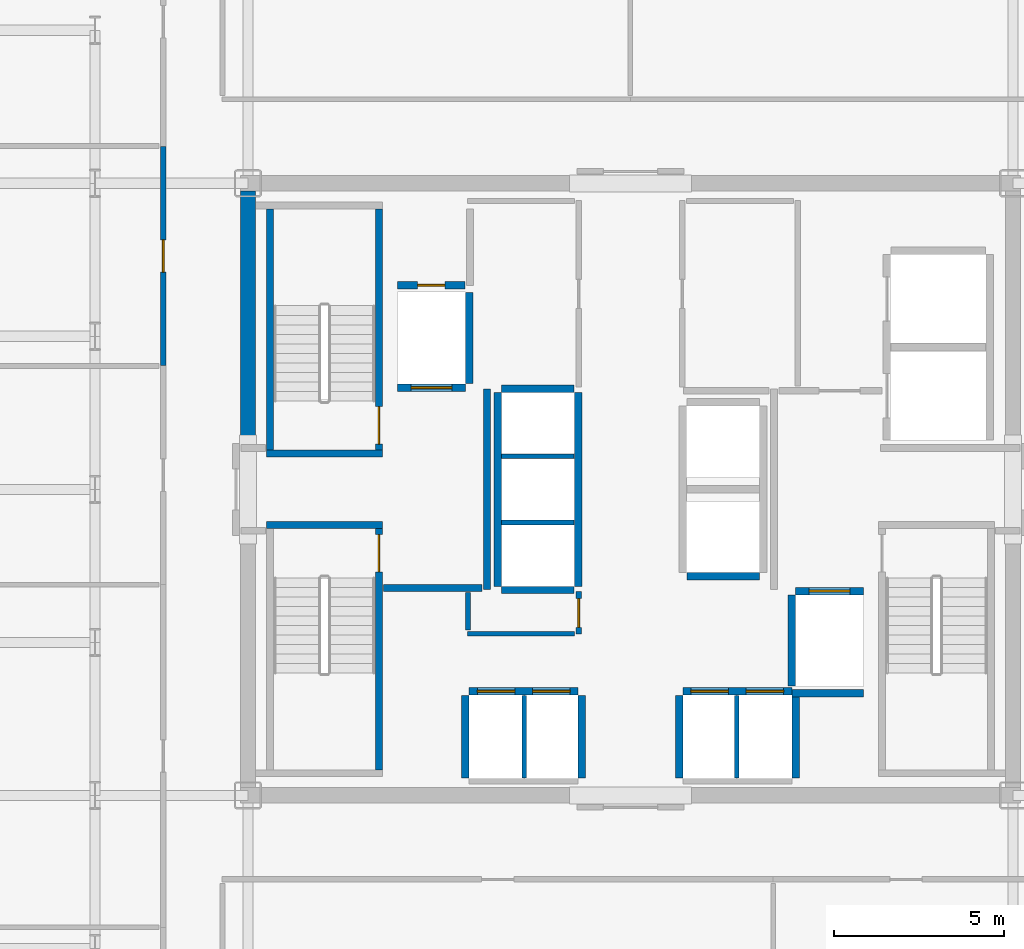
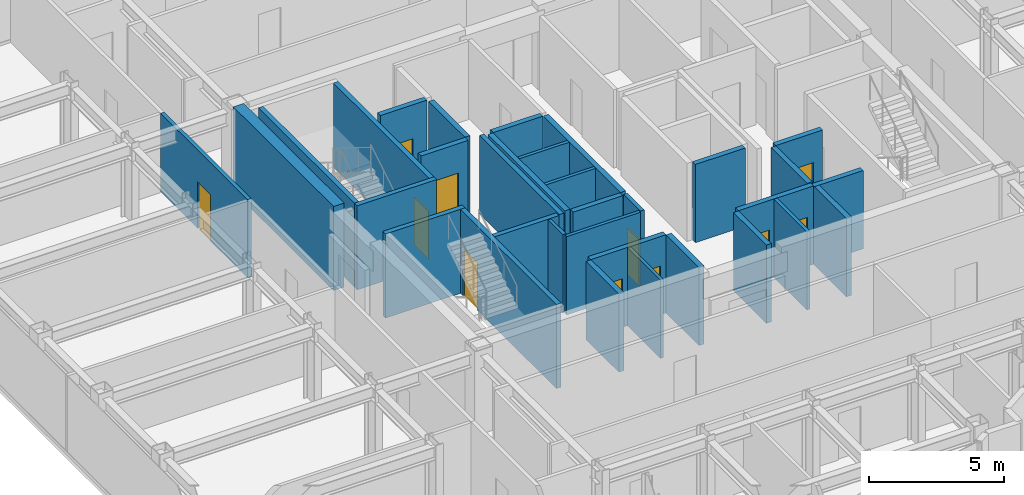
# One storey, part 15 of 20: 33 walls, 11 doors, 11 openings.
"""IFC4 building model written with IfcOpenShell, lengths in metres."""

from ifc_helpers import new_model, si_unit, direction, frame, frame_2d, origin, place, context, subcontext, project, spatial, rectangle, extrude, source, transform, mapped, material, layer, layer_set, type_object, element, fill, save


model = new_model("IFC4")

# Units and contexts
model_context = context("Model", 3, precision=1e-05, world=origin(), true_north=direction((0.0, 1.0)))
body_context = subcontext(model_context, "Body", "Model", "MODEL_VIEW")
ifc_project = project(units=[si_unit("LENGTHUNIT", "METRE"), si_unit("AREAUNIT", "SQUARE_METRE"), si_unit("VOLUMEUNIT", "CUBIC_METRE"), si_unit("PLANEANGLEUNIT", "RADIAN"), si_unit("MASSUNIT", "GRAM", prefix="KILO")], contexts=[model_context])

# Site, building, storey
site_placement = place(None, origin())
site = spatial("IfcSite", under=ifc_project, at=site_placement, CompositionType="ELEMENT")
building_placement = place(site_placement, origin())
building = spatial("IfcBuilding", under=site, at=building_placement, Name="Nefas-Gora Pilgrimage Tower", CompositionType="ELEMENT")
storey_placement = place(building_placement, frame((0.0, 0.0, 225.60009765625)))
storey = spatial("IfcBuildingStorey", under=building, at=storey_placement, Name="L56", CompositionType="ELEMENT", Elevation=225.60009765625)

# Walls
ifc_material_1 = material(Name="Concrete C50/60", Category="concrete")
ifc_layer_1 = layer(ifc_material_1, 0.449951171875)
ifc_layer_set_1 = layer_set([ifc_layer_1], Name="Concrete C50/60")
wall_type_1 = type_object("IfcWallType", Name="SW-CORE-450", PredefinedType="SHEAR", material=ifc_layer_set_1)
shared_shape_1 = source(origin(), body_context, "Body", "SweptSolid", [
    extrude(rectangle(XDim=7.4248046875, YDim=0.449951171875, at=frame_2d((3.71240234375, 0.0))), origin(), (0.0, 0.0, 1.0), 3.7998046875),
])
wall_1_placement = place(storey_placement, frame((-11.25, 1.35009765625, 0.0), z_axis=(0.0, 0.0, 1.0), x_axis=(0.0, 1.0, 0.0)))
element("IfcWall", 1, at=wall_1_placement, inside=storey, type_object=wall_type_1, Name="L56 Core Shear Wall W-North", PredefinedType="SHEAR", context=body_context, shape_type="MappedRepresentation", body=[
    mapped(shared_shape_1, transform((0.0, 0.0, 0.0), x_axis=(1.0, 0.0, 0.0), y_axis=(0.0, 1.0, 0.0), z_axis=(0.0, 0.0, 1.0), scale=1.0)),
])
ifc_material_2 = material(Name="Concrete C45/55", Category="concrete")
ifc_layer_2 = layer(ifc_material_2, 0.199951171875)
ifc_layer_set_2 = layer_set([ifc_layer_2], Name="Concrete C45/55")
wall_type_2 = type_object("IfcWallType", Name="IW-STAIR-200", PredefinedType="SOLIDWALL", material=ifc_layer_set_2)
shared_shape_2 = source(origin(), body_context, "Body", "SweptSolid", [
    extrude(rectangle(XDim=3.39990234375, YDim=0.199951171875, at=frame_2d((1.699951171875, 0.0))), origin(), (0.0, 0.0, 1.0), 3.7998046875),
])
for number, where, z_axis, x_axis, name in (
    (2, (-7.300048828125, 1.050048828125, 0.0), (0.0, 0.0, 1.0), (-1.0, 0.0, 0.0), "L56 Stairwell Shear Wall ST-01-near"),
    (3, (-10.699951171875, -1.050048828125, 0.0), (0.0, 0.0, 1.0), (1.0, 0.0, 0.0), "L56 Stairwell Shear Wall ST-03-near"),
):
    element("IfcWall", number, at=place(storey_placement, frame(where, z_axis=z_axis, x_axis=x_axis)), inside=storey, type_object=wall_type_2, Name=name, PredefinedType="SOLIDWALL", context=body_context, shape_type="MappedRepresentation", body=[
        mapped(shared_shape_2, transform((0.0, 0.0, 0.0), x_axis=(1.0, 0.0, 0.0), y_axis=(0.0, 1.0, 0.0), z_axis=(0.0, 0.0, 1.0), scale=1.0)),
    ])

# Wall, opening, door
shared_shape_3 = source(origin(), body_context, "Body", "SweptSolid", [
    extrude(rectangle(XDim=7.10009765625, YDim=0.199951171875, at=frame_2d((3.550048828125, 0.0))), origin(), (0.0, 0.0, 1.0), 3.7998046875),
])
wall_2_placement = place(storey_placement, frame((-7.39990234375, 1.14990234375, 0.0), z_axis=(0.0, 0.0, 1.0), x_axis=(0.0, 1.0, 0.0)))
wall_2 = element("IfcWall", 4, at=wall_2_placement, inside=storey, type_object=wall_type_2, Name="L56 Stairwell Shear Wall ST-01-left", PredefinedType="SOLIDWALL", context=body_context, shape_type="MappedRepresentation", body=[
    mapped(shared_shape_3, transform((0.0, 0.0, 0.0), x_axis=(1.0, 0.0, 0.0), y_axis=(0.0, 1.0, 0.0), z_axis=(0.0, 0.0, 1.0), scale=1.0)),
])
opening_1_placement = place(wall_2_placement, frame((0.179931640625, 0.0, 0.0)))
opening_1 = element("IfcOpeningElement", 5, at=opening_1_placement, cuts=wall_2, Name="Opening ID-ST1", PredefinedType="OPENING", context=body_context, shape_type="SweptSolid", body=[
    extrude(rectangle(XDim=1.10009765625, YDim=2.14990234375, at=frame_2d((0.550048828125, 1.074951171875))), frame((0.0, 0.10986328125, 0.0), z_axis=(0.0, -1.0, 0.0), x_axis=(1.0, 0.0, 0.0)), (0.0, 0.0, 1.0), 0.219970703125),
])
ifc_material_3 = material(Name="Painted galvanised steel fire stair door", Category="steel")
door_type_1 = type_object("IfcDoorType", Name="DR-INT-STAIR-1100", OperationType="NOTDEFINED", PredefinedType="DOOR", material=ifc_material_3)
shared_shape_4 = source(origin(), body_context, "Body", "SweptSolid", [
    extrude(rectangle(XDim=1.10009765625, YDim=2.14990234375, at=frame_2d((0.550048828125, 1.074951171875))), frame((0.0, 0.02490234375, 0.0), z_axis=(0.0, -1.0, 0.0), x_axis=(1.0, 0.0, 0.0)), (0.0, 0.0, 1.0), 0.050048828125),
])
door_1_placement = place(opening_1_placement, origin())
door_1 = element("IfcDoor", 6, at=door_1_placement, inside=storey, type_object=door_type_1, Name="L56 Protected Exit Stair Door ST-01", OperationType="SINGLE_SWING_RIGHT", OverallHeight=2.14990234375, OverallWidth=1.10009765625, PredefinedType="DOOR", context=body_context, shape_type="MappedRepresentation", body=[
    mapped(shared_shape_4, transform((0.0, 0.0, 0.0), x_axis=(1.0, 0.0, 0.0), y_axis=(0.0, 1.0, 0.0), z_axis=(0.0, 0.0, 1.0), scale=1.0)),
])
fill(opening_1, door_1)

# Wall
wall_3_placement = place(storey_placement, frame((-10.60009765625, 1.14990234375, 0.0), z_axis=(0.0, 0.0, 1.0), x_axis=(0.0, 1.0, 0.0)))
element("IfcWall", 7, at=wall_3_placement, inside=storey, type_object=wall_type_2, Name="L56 Stairwell Shear Wall ST-01-right", PredefinedType="SOLIDWALL", context=body_context, shape_type="MappedRepresentation", body=[
    mapped(shared_shape_3, transform((0.0, 0.0, 0.0), x_axis=(1.0, 0.0, 0.0), y_axis=(0.0, 1.0, 0.0), z_axis=(0.0, 0.0, 1.0), scale=1.0)),
])

# Wall, opening, door
wall_4_placement = place(storey_placement, frame((-7.39990234375, -1.14990234375, 0.0), z_axis=(0.0, 0.0, 1.0), x_axis=(0.0, -1.0, 0.0)))
wall_4 = element("IfcWall", 8, at=wall_4_placement, inside=storey, type_object=wall_type_2, Name="L56 Stairwell Shear Wall ST-03-right", PredefinedType="SOLIDWALL", context=body_context, shape_type="MappedRepresentation", body=[
    mapped(shared_shape_3, transform((0.0, 0.0, 0.0), x_axis=(1.0, 0.0, 0.0), y_axis=(0.0, 1.0, 0.0), z_axis=(0.0, 0.0, 1.0), scale=1.0)),
])
opening_2_placement = place(wall_4_placement, frame((0.179931640625, 0.0, 0.0)))
opening_2 = element("IfcOpeningElement", 9, at=opening_2_placement, cuts=wall_4, Name="Opening ID-ST1", PredefinedType="OPENING", context=body_context, shape_type="SweptSolid", body=[
    extrude(rectangle(XDim=1.10009765625, YDim=2.14990234375, at=frame_2d((0.550048828125, 1.074951171875))), frame((0.0, 0.10986328125, 0.0), z_axis=(0.0, -1.0, 0.0), x_axis=(1.0, 0.0, 0.0)), (0.0, 0.0, 1.0), 0.219970703125),
])
door_2_placement = place(opening_2_placement, origin())
door_2 = element("IfcDoor", 10, at=door_2_placement, inside=storey, type_object=door_type_1, Name="L56 Protected Exit Stair Door ST-03", OperationType="SINGLE_SWING_RIGHT", OverallHeight=2.14990234375, OverallWidth=1.10009765625, PredefinedType="DOOR", context=body_context, shape_type="MappedRepresentation", body=[
    mapped(shared_shape_4, transform((0.0, 0.0, 0.0), x_axis=(1.0, 0.0, 0.0), y_axis=(0.0, 1.0, 0.0), z_axis=(0.0, 0.0, 1.0), scale=1.0)),
])
fill(opening_2, door_2)

ifc_material_4 = material(Name="Concrete C40/50", Category="concrete")
ifc_layer_3 = layer(ifc_material_4, 0.219970703125)
ifc_layer_set_3 = layer_set([ifc_layer_3], Name="Concrete C40/50")
wall_type_3 = type_object("IfcWallType", Name="IW-SHAFT-220", PredefinedType="SOLIDWALL", material=ifc_layer_set_3)
shared_shape_5 = source(origin(), body_context, "Body", "SweptSolid", [
    extrude(rectangle(XDim=2.0, YDim=0.219970703125, at=frame_2d((1.0, 0.0))), origin(), (0.0, 0.0, 1.0), 3.534912109375),
])
wall_5_placement = place(storey_placement, frame((-6.85009765625, 2.989990234375, 0.0), z_axis=(0.0, 0.0, 1.0), x_axis=(1.0, 0.0, 0.0)))
wall_5 = element("IfcWall", 11, at=wall_5_placement, inside=storey, type_object=wall_type_3, Name="L56 Hoistway Wall FFL-01-S", PredefinedType="SOLIDWALL", context=body_context, shape_type="MappedRepresentation", body=[
    mapped(shared_shape_5, transform((0.0, 0.0, 0.0), x_axis=(1.0, 0.0, 0.0), y_axis=(0.0, 1.0, 0.0), z_axis=(0.0, 0.0, 1.0), scale=1.0)),
])
opening_3_placement = place(wall_5_placement, frame((0.39990234375, 0.0, 0.0)))
opening_3 = element("IfcOpeningElement", 12, at=opening_3_placement, cuts=wall_5, Name="Opening LD-FF", PredefinedType="OPENING", context=body_context, shape_type="SweptSolid", body=[
    extrude(rectangle(XDim=1.199951171875, YDim=2.199951171875, at=frame_2d((0.60009765625, 1.10009765625))), frame((0.0, 0.119873046875, 0.0), z_axis=(0.0, -1.0, 0.0), x_axis=(1.0, 0.0, 0.0)), (0.0, 0.0, 1.0), 0.239990234375),
])
ifc_material_5 = material(Name="Fire-service sliding lift landing door")
door_type_2 = type_object("IfcDoorType", Name="DR-LIFT-FSAE-1200", OperationType="SLIDING_TO_LEFT", PredefinedType="DOOR", material=ifc_material_5)
shared_shape_6 = source(origin(), body_context, "Body", "SweptSolid", [
    extrude(rectangle(XDim=1.199951171875, YDim=2.199951171875, at=frame_2d((0.60009765625, 1.10009765625))), frame((0.0, 0.02490234375, 0.0), z_axis=(0.0, -1.0, 0.0), x_axis=(1.0, 0.0, 0.0)), (0.0, 0.0, 1.0), 0.050048828125),
])
door_3_placement = place(opening_3_placement, origin())
door_3 = element("IfcDoor", 13, at=door_3_placement, inside=storey, type_object=door_type_2, Name="L56 Sliding Lift Landing Door FFL-01", OperationType="SLIDING_TO_LEFT", OverallHeight=2.199951171875, OverallWidth=1.199951171875, PredefinedType="DOOR", context=body_context, shape_type="MappedRepresentation", body=[
    mapped(shared_shape_6, transform((0.0, 0.0, 0.0), x_axis=(1.0, 0.0, 0.0), y_axis=(0.0, 1.0, 0.0), z_axis=(0.0, 0.0, 1.0), scale=1.0)),
])
fill(opening_3, door_3)

wall_6_placement = place(storey_placement, frame((6.85009765625, -2.989990234375, 0.0), z_axis=(0.0, 0.0, 1.0), x_axis=(-1.0, 0.0, 0.0)))
wall_6 = element("IfcWall", 14, at=wall_6_placement, inside=storey, type_object=wall_type_3, Name="L56 Hoistway Wall FFL-02-N", PredefinedType="SOLIDWALL", context=body_context, shape_type="MappedRepresentation", body=[
    mapped(shared_shape_5, transform((0.0, 0.0, 0.0), x_axis=(1.0, 0.0, 0.0), y_axis=(0.0, 1.0, 0.0), z_axis=(0.0, 0.0, 1.0), scale=1.0)),
])
opening_4_placement = place(wall_6_placement, frame((0.39990234375, 0.0, 0.0)))
opening_4 = element("IfcOpeningElement", 15, at=opening_4_placement, cuts=wall_6, Name="Opening LD-FF", PredefinedType="OPENING", context=body_context, shape_type="SweptSolid", body=[
    extrude(rectangle(XDim=1.199951171875, YDim=2.199951171875, at=frame_2d((0.60009765625, 1.10009765625))), frame((0.0, 0.119873046875, 0.0), z_axis=(0.0, -1.0, 0.0), x_axis=(1.0, 0.0, 0.0)), (0.0, 0.0, 1.0), 0.239990234375),
])
door_4_placement = place(opening_4_placement, origin())
door_4 = element("IfcDoor", 16, at=door_4_placement, inside=storey, type_object=door_type_2, Name="L56 Sliding Lift Landing Door FFL-02", OperationType="SLIDING_TO_LEFT", OverallHeight=2.199951171875, OverallWidth=1.199951171875, PredefinedType="DOOR", context=body_context, shape_type="MappedRepresentation", body=[
    mapped(shared_shape_6, transform((0.0, 0.0, 0.0), x_axis=(1.0, 0.0, 0.0), y_axis=(0.0, 1.0, 0.0), z_axis=(0.0, 0.0, 1.0), scale=1.0)),
])
fill(opening_4, door_4)

# Walls
shared_shape_7 = source(origin(), body_context, "Body", "SweptSolid", [
    extrude(rectangle(XDim=2.679931640625, YDim=0.219970703125, at=frame_2d((1.33984375, 0.0))), origin(), (0.0, 0.0, 1.0), 3.534912109375),
])
for number, where, z_axis, x_axis, name in (
    (17, (-4.739990234375, 3.110107421875, 0.0), (0.0, 0.0, 1.0), (0.0, 1.0, 0.0), "L56 Hoistway Wall FFL-01-E"),
    (18, (4.739990234375, -3.110107421875, 0.0), (0.0, 0.0, 1.0), (0.0, -1.0, 0.0), "L56 Hoistway Wall FFL-02-W"),
):
    element("IfcWall", number, at=place(storey_placement, frame(where, z_axis=z_axis, x_axis=x_axis)), inside=storey, type_object=wall_type_3, Name=name, PredefinedType="SOLIDWALL", context=body_context, shape_type="MappedRepresentation", body=[
        mapped(shared_shape_7, transform((0.0, 0.0, 0.0), x_axis=(1.0, 0.0, 0.0), y_axis=(0.0, 1.0, 0.0), z_axis=(0.0, 0.0, 1.0), scale=1.0)),
    ])

# Wall, openings, doors
shared_shape_8 = source(origin(), body_context, "Body", "SweptSolid", [
    extrude(rectangle(XDim=3.199951171875, YDim=0.219970703125, at=frame_2d((1.60009765625, 0.0))), origin(), (0.0, 0.0, 1.0), 3.534912109375),
])
wall_7_placement = place(storey_placement, frame((-1.550048828125, -5.93994140625, 0.0), z_axis=(0.0, 0.0, 1.0), x_axis=(-1.0, 0.0, 0.0)))
wall_7 = element("IfcWall", 19, at=wall_7_placement, inside=storey, type_object=wall_type_3, Name="L56 Hoistway Wall PL2-W-N", PredefinedType="SOLIDWALL", context=body_context, shape_type="MappedRepresentation", body=[
    mapped(shared_shape_8, transform((0.0, 0.0, 0.0), x_axis=(1.0, 0.0, 0.0), y_axis=(0.0, 1.0, 0.0), z_axis=(0.0, 0.0, 1.0), scale=1.0)),
])
opening_5_placement = place(wall_7_placement, frame((1.85009765625, 0.0, 0.0)))
opening_5 = element("IfcOpeningElement", 20, at=opening_5_placement, cuts=wall_7, Name="Opening LD-01", PredefinedType="OPENING", context=body_context, shape_type="SweptSolid", body=[
    extrude(rectangle(XDim=1.10009765625, YDim=2.199951171875, at=frame_2d((0.550048828125, 1.10009765625))), frame((0.0, 0.119873046875, 0.0), z_axis=(0.0, -1.0, 0.0), x_axis=(1.0, 0.0, 0.0)), (0.0, 0.0, 1.0), 0.239990234375),
])
opening_6_placement = place(wall_7_placement, frame((0.22509765625, 0.0, 0.0)))
opening_6 = element("IfcOpeningElement", 21, at=opening_6_placement, cuts=wall_7, Name="Opening LD-01", PredefinedType="OPENING", context=body_context, shape_type="SweptSolid", body=[
    extrude(rectangle(XDim=1.10009765625, YDim=2.199951171875, at=frame_2d((0.550048828125, 1.10009765625))), frame((0.0, 0.119873046875, 0.0), z_axis=(0.0, -1.0, 0.0), x_axis=(1.0, 0.0, 0.0)), (0.0, 0.0, 1.0), 0.239990234375),
])
ifc_material_6 = material(Name="Brushed stainless sliding lift landing door")
door_type_3 = type_object("IfcDoorType", Name="DR-LIFT-PASS-1100", OperationType="DOUBLE_DOOR_SLIDING", PredefinedType="DOOR", material=ifc_material_6)
shared_shape_9 = source(origin(), body_context, "Body", "SweptSolid", [
    extrude(rectangle(XDim=1.10009765625, YDim=2.199951171875, at=frame_2d((0.550048828125, 1.10009765625))), frame((0.0, 0.02490234375, 0.0), z_axis=(0.0, -1.0, 0.0), x_axis=(1.0, 0.0, 0.0)), (0.0, 0.0, 1.0), 0.050048828125),
])
door_5_placement = place(opening_5_placement, origin())
door_5 = element("IfcDoor", 22, at=door_5_placement, inside=storey, type_object=door_type_3, Name="L56 Sliding Lift Landing Door PL2-01", OperationType="DOUBLE_DOOR_SLIDING", OverallHeight=2.199951171875, OverallWidth=1.10009765625, PredefinedType="DOOR", context=body_context, shape_type="MappedRepresentation", body=[
    mapped(shared_shape_9, transform((0.0, 0.0, 0.0), x_axis=(1.0, 0.0, 0.0), y_axis=(0.0, 1.0, 0.0), z_axis=(0.0, 0.0, 1.0), scale=1.0)),
])
fill(opening_5, door_5)
door_6_placement = place(opening_6_placement, origin())
door_6 = element("IfcDoor", 23, at=door_6_placement, inside=storey, type_object=door_type_3, Name="L56 Sliding Lift Landing Door PL2-02", OperationType="DOUBLE_DOOR_SLIDING", OverallHeight=2.199951171875, OverallWidth=1.10009765625, PredefinedType="DOOR", context=body_context, shape_type="MappedRepresentation", body=[
    mapped(shared_shape_9, transform((0.0, 0.0, 0.0), x_axis=(1.0, 0.0, 0.0), y_axis=(0.0, 1.0, 0.0), z_axis=(0.0, 0.0, 1.0), scale=1.0)),
])
fill(opening_6, door_6)

wall_8_placement = place(storey_placement, frame((4.75, -5.93994140625, 0.0), z_axis=(0.0, 0.0, 1.0), x_axis=(-1.0, 0.0, 0.0)))
wall_8 = element("IfcWall", 24, at=wall_8_placement, inside=storey, type_object=wall_type_3, Name="L56 Hoistway Wall PL2-E-N", PredefinedType="SOLIDWALL", context=body_context, shape_type="MappedRepresentation", body=[
    mapped(shared_shape_8, transform((0.0, 0.0, 0.0), x_axis=(1.0, 0.0, 0.0), y_axis=(0.0, 1.0, 0.0), z_axis=(0.0, 0.0, 1.0), scale=1.0)),
])
opening_7_placement = place(wall_8_placement, frame((1.875, 0.0, 0.0)))
opening_7 = element("IfcOpeningElement", 25, at=opening_7_placement, cuts=wall_8, Name="Opening LD-01", PredefinedType="OPENING", context=body_context, shape_type="SweptSolid", body=[
    extrude(rectangle(XDim=1.10009765625, YDim=2.199951171875, at=frame_2d((0.550048828125, 1.10009765625))), frame((0.0, 0.119873046875, 0.0), z_axis=(0.0, -1.0, 0.0), x_axis=(1.0, 0.0, 0.0)), (0.0, 0.0, 1.0), 0.239990234375),
])
opening_8_placement = place(wall_8_placement, frame((0.25, 0.0, 0.0)))
opening_8 = element("IfcOpeningElement", 26, at=opening_8_placement, cuts=wall_8, Name="Opening LD-01", PredefinedType="OPENING", context=body_context, shape_type="SweptSolid", body=[
    extrude(rectangle(XDim=1.10009765625, YDim=2.199951171875, at=frame_2d((0.550048828125, 1.10009765625))), frame((0.0, 0.119873046875, 0.0), z_axis=(0.0, -1.0, 0.0), x_axis=(1.0, 0.0, 0.0)), (0.0, 0.0, 1.0), 0.239990234375),
])
door_7_placement = place(opening_7_placement, origin())
door_7 = element("IfcDoor", 27, at=door_7_placement, inside=storey, type_object=door_type_3, Name="L56 Sliding Lift Landing Door PL2-03", OperationType="DOUBLE_DOOR_SLIDING", OverallHeight=2.199951171875, OverallWidth=1.10009765625, PredefinedType="DOOR", context=body_context, shape_type="MappedRepresentation", body=[
    mapped(shared_shape_9, transform((0.0, 0.0, 0.0), x_axis=(1.0, 0.0, 0.0), y_axis=(0.0, 1.0, 0.0), z_axis=(0.0, 0.0, 1.0), scale=1.0)),
])
fill(opening_7, door_7)
door_8_placement = place(opening_8_placement, origin())
door_8 = element("IfcDoor", 28, at=door_8_placement, inside=storey, type_object=door_type_3, Name="L56 Sliding Lift Landing Door PL2-04", OperationType="DOUBLE_DOOR_SLIDING", OverallHeight=2.199951171875, OverallWidth=1.10009765625, PredefinedType="DOOR", context=body_context, shape_type="MappedRepresentation", body=[
    mapped(shared_shape_9, transform((0.0, 0.0, 0.0), x_axis=(1.0, 0.0, 0.0), y_axis=(0.0, 1.0, 0.0), z_axis=(0.0, 0.0, 1.0), scale=1.0)),
])
fill(opening_8, door_8)

# Walls
shared_shape_10 = source(origin(), body_context, "Body", "SweptSolid", [
    extrude(rectangle(XDim=2.429931640625, YDim=0.219970703125, at=frame_2d((1.21484375, 0.0))), origin(), (0.0, 0.0, 1.0), 3.534912109375),
])
for number, where, z_axis, x_axis, name in (
    (29, (-4.860107421875, -6.06005859375, 0.0), (0.0, 0.0, 1.0), (0.0, -1.0, 0.0), "L56 Hoistway Wall PL2-W-W"),
    (30, (-1.43994140625, -8.489990234375, 0.0), (0.0, 0.0, 1.0), (0.0, 1.0, 0.0), "L56 Hoistway Wall PL2-W-E"),
    (31, (1.43994140625, -6.06005859375, 0.0), (0.0, 0.0, 1.0), (0.0, -1.0, 0.0), "L56 Hoistway Wall PL2-E-W"),
    (32, (4.860107421875, -8.489990234375, 0.0), (0.0, 0.0, 1.0), (0.0, 1.0, 0.0), "L56 Hoistway Wall PL2-E-E"),
):
    element("IfcWall", number, at=place(storey_placement, frame(where, z_axis=z_axis, x_axis=x_axis)), inside=storey, type_object=wall_type_3, Name=name, PredefinedType="SOLIDWALL", context=body_context, shape_type="MappedRepresentation", body=[
        mapped(shared_shape_10, transform((0.0, 0.0, 0.0), x_axis=(1.0, 0.0, 0.0), y_axis=(0.0, 1.0, 0.0), z_axis=(0.0, 0.0, 1.0), scale=1.0)),
    ])
ifc_material_7 = material(Name="Gypsum twin-stud partition")
ifc_layer_4 = layer(ifc_material_7, 0.139892578125)
ifc_layer_set_4 = layer_set([ifc_layer_4], Name="Gypsum twin-stud partition")
wall_type_4 = type_object("IfcWallType", Name="IW-UNIT-140", PredefinedType="PARTITIONING", material=ifc_layer_set_4)
shared_shape_11 = source(origin(), body_context, "Body", "SweptSolid", [
    extrude(rectangle(XDim=2.429931640625, YDim=0.139892578125, at=frame_2d((1.21484375, 0.0))), origin(), (0.0, 0.0, 1.0), 3.534912109375),
])
for number, where, z_axis, x_axis, name in (
    (33, (-3.125, -8.489990234375, 0.0), (0.0, 0.0, 1.0), (0.0, 1.0, 0.0), "L56 Hoistway Wall PL2-W-DIV"),
    (34, (3.125, -8.489990234375, 0.0), (0.0, 0.0, 1.0), (0.0, 1.0, 0.0), "L56 Hoistway Wall PL2-E-DIV"),
):
    element("IfcWall", number, at=place(storey_placement, frame(where, z_axis=z_axis, x_axis=x_axis)), inside=storey, type_object=wall_type_4, Name=name, PredefinedType="PARTITIONING", context=body_context, shape_type="MappedRepresentation", body=[
        mapped(shared_shape_11, transform((0.0, 0.0, 0.0), x_axis=(1.0, 0.0, 0.0), y_axis=(0.0, 1.0, 0.0), z_axis=(0.0, 0.0, 1.0), scale=1.0)),
    ])
shared_shape_12 = source(origin(), body_context, "Body", "SweptSolid", [
    extrude(rectangle(XDim=5.7001953125, YDim=0.219970703125, at=frame_2d((2.85009765625, 0.0))), origin(), (0.0, 0.0, 1.0), 3.534912109375),
])
for number, where, z_axis, x_axis, name in (
    (35, (-1.5400390625, -2.85009765625, 0.0), (0.0, 0.0, 1.0), (0.0, 1.0, 0.0), "L56 Hoistway Wall PL3-01-03-E"),
    (36, (-3.909912109375, 2.85009765625, 0.0), (0.0, 0.0, 1.0), (0.0, -1.0, 0.0), "L56 Hoistway Wall PL3-01-03-W"),
):
    element("IfcWall", number, at=place(storey_placement, frame(where, z_axis=z_axis, x_axis=x_axis)), inside=storey, type_object=wall_type_3, Name=name, PredefinedType="SOLIDWALL", context=body_context, shape_type="MappedRepresentation", body=[
        mapped(shared_shape_12, transform((0.0, 0.0, 0.0), x_axis=(1.0, 0.0, 0.0), y_axis=(0.0, 1.0, 0.0), z_axis=(0.0, 0.0, 1.0), scale=1.0)),
    ])
shared_shape_13 = source(origin(), body_context, "Body", "SweptSolid", [
    extrude(rectangle(XDim=2.130126953125, YDim=0.219970703125, at=frame_2d((1.06494140625, 0.0))), origin(), (0.0, 0.0, 1.0), 3.534912109375),
])
for number, where, z_axis, x_axis, name in (
    (37, (-3.7900390625, -2.9599609375, 0.0), (0.0, 0.0, 1.0), (1.0, 0.0, 0.0), "L56 Hoistway Wall PL3-01-S"),
    (38, (-1.659912109375, 2.9599609375, 0.0), (0.0, 0.0, 1.0), (-1.0, 0.0, 0.0), "L56 Hoistway Wall PL3-03-N"),
    (39, (1.659912109375, -2.56005859375, 0.0), (0.0, 0.0, 1.0), (1.0, 0.0, 0.0), "L56 Hoistway Wall OBS-01-S"),
):
    element("IfcWall", number, at=place(storey_placement, frame(where, z_axis=z_axis, x_axis=x_axis)), inside=storey, type_object=wall_type_3, Name=name, PredefinedType="SOLIDWALL", context=body_context, shape_type="MappedRepresentation", body=[
        mapped(shared_shape_13, transform((0.0, 0.0, 0.0), x_axis=(1.0, 0.0, 0.0), y_axis=(0.0, 1.0, 0.0), z_axis=(0.0, 0.0, 1.0), scale=1.0)),
    ])
shared_shape_14 = source(origin(), body_context, "Body", "SweptSolid", [
    extrude(rectangle(XDim=2.130126953125, YDim=0.139892578125, at=frame_2d((1.06494140625, 0.0))), origin(), (0.0, 0.0, 1.0), 3.534912109375),
])
for number, where, z_axis, x_axis, name in (
    (40, (-3.7900390625, -0.97509765625, 0.0), (0.0, 0.0, 1.0), (1.0, 0.0, 0.0), "L56 Hoistway Wall PL3-01-02-DIV"),
    (41, (-3.7900390625, 0.97509765625, 0.0), (0.0, 0.0, 1.0), (1.0, 0.0, 0.0), "L56 Hoistway Wall PL3-02-03-DIV"),
):
    element("IfcWall", number, at=place(storey_placement, frame(where, z_axis=z_axis, x_axis=x_axis)), inside=storey, type_object=wall_type_4, Name=name, PredefinedType="PARTITIONING", context=body_context, shape_type="MappedRepresentation", body=[
        mapped(shared_shape_14, transform((0.0, 0.0, 0.0), x_axis=(1.0, 0.0, 0.0), y_axis=(0.0, 1.0, 0.0), z_axis=(0.0, 0.0, 1.0), scale=1.0)),
    ])
shared_shape_15 = source(origin(), body_context, "Body", "SweptSolid", [
    extrude(rectangle(XDim=2.09521484375, YDim=0.219970703125, at=frame_2d((1.047607421875, 0.0))), origin(), (0.0, 0.0, 1.0), 3.534912109375),
])
wall_9_placement = place(storey_placement, frame((4.7548828125, -6.0, 0.0), z_axis=(0.0, 0.0, 1.0), x_axis=(1.0, 0.0, 0.0)))
element("IfcWall", 42, at=wall_9_placement, inside=storey, type_object=wall_type_3, Name="L56 Riser Shaft Wall 3", PredefinedType="SOLIDWALL", context=body_context, shape_type="MappedRepresentation", body=[
    mapped(shared_shape_15, transform((0.0, 0.0, 0.0), x_axis=(1.0, 0.0, 0.0), y_axis=(0.0, 1.0, 0.0), z_axis=(0.0, 0.0, 1.0), scale=1.0)),
])
ifc_material_8 = material(Name="Gypsum fire-rated shaftwall")
ifc_layer_5 = layer(ifc_material_8, 0.199951171875)
ifc_layer_set_5 = layer_set([ifc_layer_5], Name="Gypsum fire-rated shaftwall")
wall_type_5 = type_object("IfcWallType", Name="IW-FFLOB-200", PredefinedType="PARTITIONING", material=ifc_layer_set_5)
shared_shape_16 = source(origin(), body_context, "Body", "SweptSolid", [
    extrude(rectangle(XDim=5.89990234375, YDim=0.199951171875, at=frame_2d((2.949951171875, 0.0))), origin(), (0.0, 0.0, 1.0), 3.534912109375),
])
wall_10_placement = place(storey_placement, frame((-4.219970703125, -2.949951171875, 0.0), z_axis=(0.0, 0.0, 1.0), x_axis=(0.0, 1.0, 0.0)))
element("IfcWall", 43, at=wall_10_placement, inside=storey, type_object=wall_type_5, Name="L56 FF Lobby West Inner Wall Wall 5", PredefinedType="PARTITIONING", context=body_context, shape_type="MappedRepresentation", body=[
    mapped(shared_shape_16, transform((0.0, 0.0, 0.0), x_axis=(1.0, 0.0, 0.0), y_axis=(0.0, 1.0, 0.0), z_axis=(0.0, 0.0, 1.0), scale=1.0)),
])
shared_shape_17 = source(origin(), body_context, "Body", "SweptSolid", [
    extrude(rectangle(XDim=2.89990234375, YDim=0.199951171875, at=frame_2d((1.449951171875, 0.0))), origin(), (0.0, 0.0, 1.0), 3.534912109375),
])
wall_11_placement = place(storey_placement, frame((-7.260009765625, -2.89990234375, 0.0), z_axis=(0.0, 0.0, 1.0), x_axis=(1.0, 0.0, 0.0)))
element("IfcWall", 44, at=wall_11_placement, inside=storey, type_object=wall_type_5, Name="L56 FF Lobby West South Wall Wall 6", PredefinedType="PARTITIONING", context=body_context, shape_type="MappedRepresentation", body=[
    mapped(shared_shape_17, transform((0.0, 0.0, 0.0), x_axis=(1.0, 0.0, 0.0), y_axis=(0.0, 1.0, 0.0), z_axis=(0.0, 0.0, 1.0), scale=1.0)),
])

# Wall, opening, door
ifc_material_9 = material(Name="Gypsum acoustic stud partition")
ifc_layer_6 = layer(ifc_material_9, 0.159912109375)
ifc_layer_set_6 = layer_set([ifc_layer_6], Name="Gypsum acoustic stud partition")
wall_type_6 = type_object("IfcWallType", Name="IW-CORR-160", PredefinedType="PARTITIONING", material=ifc_layer_set_6)
shared_shape_18 = source(origin(), body_context, "Body", "SweptSolid", [
    extrude(rectangle(XDim=1.25, YDim=0.159912109375, at=frame_2d((0.625, 0.0))), origin(), (0.0, 0.0, 1.0), 3.534912109375),
])
wall_12_placement = place(storey_placement, frame((-1.52001953125, -4.260009765625, 0.0), z_axis=(0.0, 0.0, 1.0), x_axis=(0.0, 1.0, 0.0)))
wall_12 = element("IfcWall", 45, at=wall_12_placement, inside=storey, type_object=wall_type_6, Name="L56 Pilgrim Baggage and Gear Vault Wall 20", PredefinedType="PARTITIONING", context=body_context, shape_type="MappedRepresentation", body=[
    mapped(shared_shape_18, transform((0.0, 0.0, 0.0), x_axis=(1.0, 0.0, 0.0), y_axis=(0.0, 1.0, 0.0), z_axis=(0.0, 0.0, 1.0), scale=1.0)),
])
opening_9_placement = place(wall_12_placement, frame((0.199951171875, 0.0, 0.0)))
opening_9 = element("IfcOpeningElement", 46, at=opening_9_placement, cuts=wall_12, Name="Opening ID-BT1", PredefinedType="OPENING", context=body_context, shape_type="SweptSolid", body=[
    extrude(rectangle(XDim=0.85009765625, YDim=2.10009765625, at=frame_2d((0.425048828125, 1.050048828125))), frame((0.0, 0.08984375, 0.0), z_axis=(0.0, -1.0, 0.0), x_axis=(1.0, 0.0, 0.0)), (0.0, 0.0, 1.0), 0.179931640625),
])
ifc_material_10 = material(Name="Moisture-resistant fire-rated timber door", Category="wood")
door_type_4 = type_object("IfcDoorType", Name="DR-INT-BATH-850", OperationType="NOTDEFINED", PredefinedType="DOOR", material=ifc_material_10)
shared_shape_19 = source(origin(), body_context, "Body", "SweptSolid", [
    extrude(rectangle(XDim=0.85009765625, YDim=2.10009765625, at=frame_2d((0.425048828125, 1.050048828125))), frame((0.0, 0.02490234375, 0.0), z_axis=(0.0, -1.0, 0.0), x_axis=(1.0, 0.0, 0.0)), (0.0, 0.0, 1.0), 0.050048828125),
])
door_9_placement = place(opening_9_placement, origin())
door_9 = element("IfcDoor", 47, at=door_9_placement, inside=storey, type_object=door_type_4, Name="L56 Pilgrim Baggage and Gear Vault Door 8", OperationType="SINGLE_SWING_RIGHT", OverallHeight=2.10009765625, OverallWidth=0.85009765625, PredefinedType="DOOR", context=body_context, shape_type="MappedRepresentation", body=[
    mapped(shared_shape_19, transform((0.0, 0.0, 0.0), x_axis=(1.0, 0.0, 0.0), y_axis=(0.0, 1.0, 0.0), z_axis=(0.0, 0.0, 1.0), scale=1.0)),
])
fill(opening_9, door_9)

# Walls
shared_shape_20 = source(origin(), body_context, "Body", "SweptSolid", [
    extrude(rectangle(XDim=3.150146484375, YDim=0.139892578125, at=frame_2d((1.5751953125, 0.0))), origin(), (0.0, 0.0, 1.0), 3.534912109375),
])
wall_13_placement = place(storey_placement, frame((-4.7900390625, -4.25, 0.0), z_axis=(0.0, 0.0, 1.0), x_axis=(1.0, 0.0, 0.0)))
element("IfcWall", 48, at=wall_13_placement, inside=storey, type_object=wall_type_4, Name="L56 Pilgrim Baggage and Gear Vault Partition Wall 21", PredefinedType="PARTITIONING", context=body_context, shape_type="MappedRepresentation", body=[
    mapped(shared_shape_20, transform((0.0, 0.0, 0.0), x_axis=(1.0, 0.0, 0.0), y_axis=(0.0, 1.0, 0.0), z_axis=(0.0, 0.0, 1.0), scale=1.0)),
])
shared_shape_21 = source(origin(), body_context, "Body", "SweptSolid", [
    extrude(rectangle(XDim=1.099853515625, YDim=0.139892578125, at=frame_2d((0.5498046875, 0.0))), origin(), (0.0, 0.0, 1.0), 3.534912109375),
])
wall_14_placement = place(storey_placement, frame((-4.780029296875, -4.139892578125, 0.0), z_axis=(0.0, 0.0, 1.0), x_axis=(0.0, 1.0, 0.0)))
element("IfcWall", 49, at=wall_14_placement, inside=storey, type_object=wall_type_4, Name="L56 Pilgrim Baggage and Gear Vault Partition Wall 22", PredefinedType="PARTITIONING", context=body_context, shape_type="MappedRepresentation", body=[
    mapped(shared_shape_21, transform((0.0, 0.0, 0.0), x_axis=(1.0, 0.0, 0.0), y_axis=(0.0, 1.0, 0.0), z_axis=(0.0, 0.0, 1.0), scale=1.0)),
])

# Wall, opening, door
shared_shape_22 = source(origin(), body_context, "Body", "SweptSolid", [
    extrude(rectangle(XDim=1.97998046875, YDim=0.219970703125, at=frame_2d((0.989990234375, 0.0))), origin(), (0.0, 0.0, 1.0), 3.534912109375),
])
wall_15_placement = place(storey_placement, frame((-6.85009765625, 6.0, 0.0), z_axis=(0.0, 0.0, 1.0), x_axis=(1.0, 0.0, 0.0)))
wall_15 = element("IfcWall", 50, at=wall_15_placement, inside=storey, type_object=wall_type_3, Name="L56 Riser Shaft Wall 2", PredefinedType="SOLIDWALL", context=body_context, shape_type="MappedRepresentation", body=[
    mapped(shared_shape_22, transform((0.0, 0.0, 0.0), x_axis=(1.0, 0.0, 0.0), y_axis=(0.0, 1.0, 0.0), z_axis=(0.0, 0.0, 1.0), scale=1.0)),
])
opening_10_placement = place(wall_15_placement, frame((0.590087890625, 0.0, 0.0)))
opening_10 = element("IfcOpeningElement", 51, at=opening_10_placement, cuts=wall_15, Name="Opening ID-TR1", PredefinedType="OPENING", context=body_context, shape_type="SweptSolid", body=[
    extrude(rectangle(XDim=0.800048828125, YDim=2.0, at=frame_2d((0.39990234375, 1.0))), frame((0.0, 0.119873046875, 0.0), z_axis=(0.0, -1.0, 0.0), x_axis=(1.0, 0.0, 0.0)), (0.0, 0.0, 1.0), 0.239990234375),
])
ifc_material_11 = material(Name="Riser maintenance fire access door")
door_type_5 = type_object("IfcDoorType", Name="DR-INT-TRAP-800", OperationType="NOTDEFINED", PredefinedType="TRAPDOOR", material=ifc_material_11)
shared_shape_23 = source(origin(), body_context, "Body", "SweptSolid", [
    extrude(rectangle(XDim=0.800048828125, YDim=2.0, at=frame_2d((0.39990234375, 1.0))), frame((0.0, 0.02490234375, 0.0), z_axis=(0.0, -1.0, 0.0), x_axis=(1.0, 0.0, 0.0)), (0.0, 0.0, 1.0), 0.050048828125),
])
door_10_placement = place(opening_10_placement, origin())
door_10 = element("IfcDoor", 52, at=door_10_placement, inside=storey, type_object=door_type_5, Name="L56 Riser Shaft Door 1", OperationType="SINGLE_SWING_LEFT", OverallHeight=2.0, OverallWidth=0.800048828125, PredefinedType="TRAPDOOR", context=body_context, shape_type="MappedRepresentation", body=[
    mapped(shared_shape_23, transform((0.0, 0.0, 0.0), x_axis=(1.0, 0.0, 0.0), y_axis=(0.0, 1.0, 0.0), z_axis=(0.0, 0.0, 1.0), scale=1.0)),
])
fill(opening_10, door_10)

shared_shape_24 = source(origin(), body_context, "Body", "SweptSolid", [
    extrude(rectangle(XDim=6.446044921875, YDim=0.159912109375, at=frame_2d((3.22314453125, 0.0))), origin(), (0.0, 0.0, 1.0), 3.534912109375),
])
wall_16_placement = place(storey_placement, frame((-13.739990234375, 3.641357421875, 0.0), z_axis=(0.0, 0.0, 1.0), x_axis=(0.0, 1.0, 0.0)))
wall_16 = element("IfcWall", 53, at=wall_16_placement, inside=storey, type_object=wall_type_6, Name="L56 Pilgrim Fellowship Seminar Room Partition Wall 36", PredefinedType="PARTITIONING", context=body_context, shape_type="MappedRepresentation", body=[
    mapped(shared_shape_24, transform((0.0, 0.0, 0.0), x_axis=(1.0, 0.0, 0.0), y_axis=(0.0, 1.0, 0.0), z_axis=(0.0, 0.0, 1.0), scale=1.0)),
])
opening_11_placement = place(wall_16_placement, frame((2.748046875, 0.0, 0.0)))
opening_11 = element("IfcOpeningElement", 54, at=opening_11_placement, cuts=wall_16, Name="Opening ID-GR1", PredefinedType="OPENING", context=body_context, shape_type="SweptSolid", body=[
    extrude(rectangle(XDim=0.949951171875, YDim=2.10009765625, at=frame_2d((0.47509765625, 1.050048828125))), frame((0.0, 0.08984375, 0.0), z_axis=(0.0, -1.0, 0.0), x_axis=(1.0, 0.0, 0.0)), (0.0, 0.0, 1.0), 0.179931640625),
])
ifc_material_12 = material(Name="Solid core oak fire-rated guest entrance door")
door_type_6 = type_object("IfcDoorType", Name="DR-INT-GUEST-950", OperationType="NOTDEFINED", PredefinedType="DOOR", material=ifc_material_12)
shared_shape_25 = source(origin(), body_context, "Body", "SweptSolid", [
    extrude(rectangle(XDim=0.949951171875, YDim=2.10009765625, at=frame_2d((0.47509765625, 1.050048828125))), frame((0.0, 0.02490234375, 0.0), z_axis=(0.0, -1.0, 0.0), x_axis=(1.0, 0.0, 0.0)), (0.0, 0.0, 1.0), 0.050048828125),
])
door_11_placement = place(opening_11_placement, origin())
door_11 = element("IfcDoor", 55, at=door_11_placement, inside=storey, type_object=door_type_6, Name="L56 Pilgrim Fellowship Seminar Room Door 15", OperationType="SINGLE_SWING_LEFT", OverallHeight=2.10009765625, OverallWidth=0.949951171875, PredefinedType="DOOR", context=body_context, shape_type="MappedRepresentation", body=[
    mapped(shared_shape_25, transform((0.0, 0.0, 0.0), x_axis=(1.0, 0.0, 0.0), y_axis=(0.0, 1.0, 0.0), z_axis=(0.0, 0.0, 1.0), scale=1.0)),
])
fill(opening_11, door_11)

save(model, "model.ifc")
